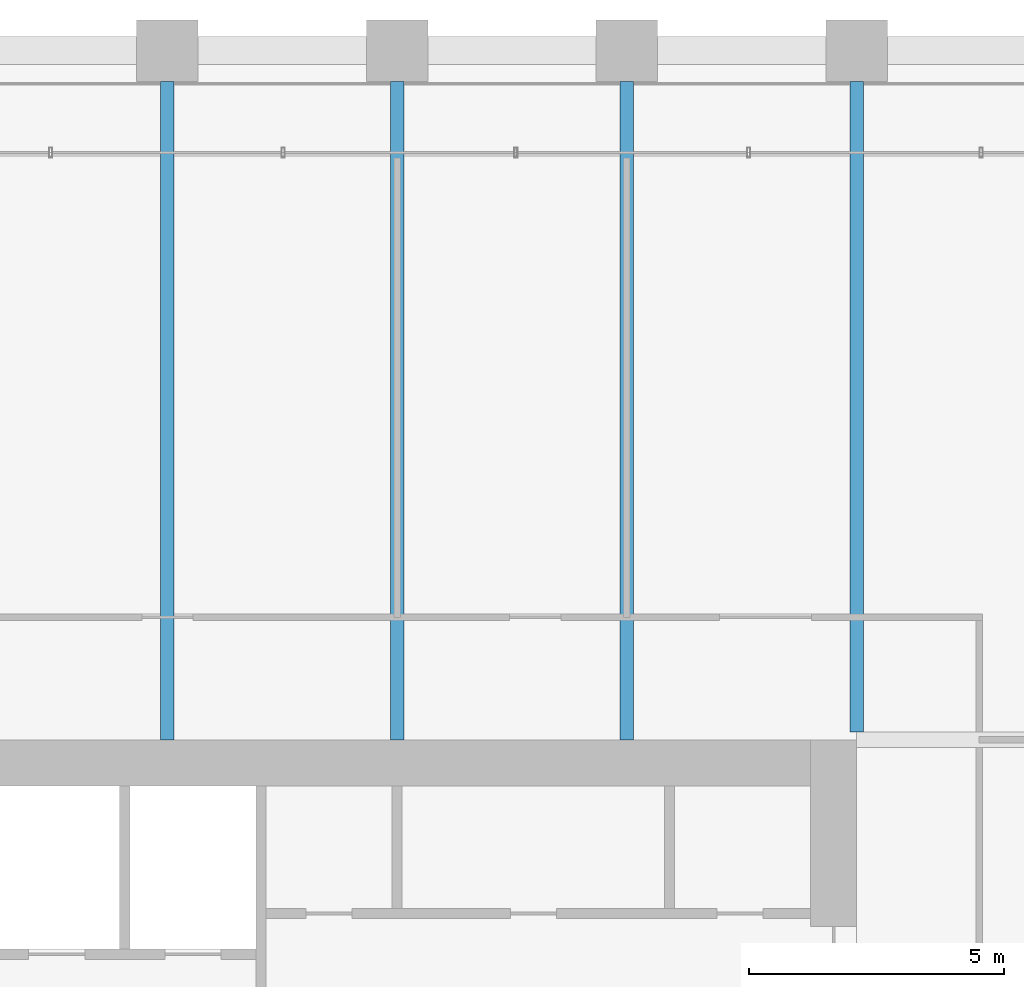
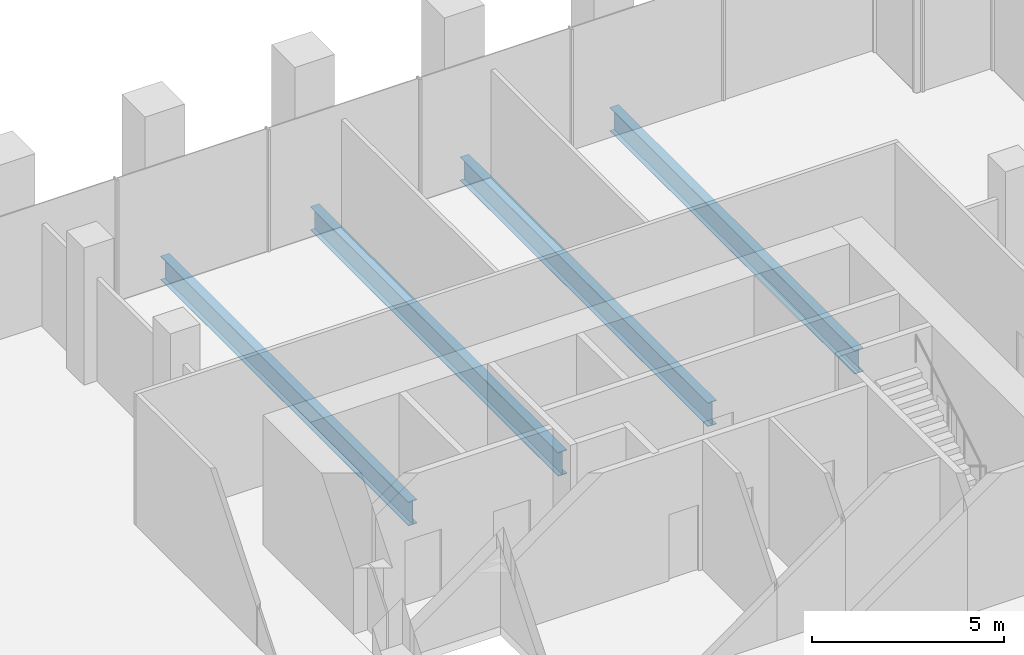
# One storey, part 15 of 36: 4 beams.
"""IFC4 building model written with IfcOpenShell, lengths in metres."""

from ifc_helpers import new_model, si_unit, direction, frame, origin, origin_2d, place, context, subcontext, project, spatial, i_section, extrude, material, material_profile, profile_set, type_object, element, save


model = new_model("IFC4")

# Units and contexts
model_context = context("Model", 3, precision=1e-05, world=origin(), true_north=direction((0.0, 1.0)))
body_context = subcontext(model_context, "Body", "Model", "MODEL_VIEW")
ifc_project = project(units=[si_unit("LENGTHUNIT", "METRE"), si_unit("AREAUNIT", "SQUARE_METRE"), si_unit("VOLUMEUNIT", "CUBIC_METRE"), si_unit("PLANEANGLEUNIT", "RADIAN"), si_unit("MASSUNIT", "GRAM", prefix="KILO")], contexts=[model_context])

# Site, building, storey
site_placement = place(None, origin())
site = spatial("IfcSite", under=ifc_project, at=site_placement, CompositionType="ELEMENT")
building_placement = place(site_placement, origin())
building = spatial("IfcBuilding", under=site, at=building_placement, Name="Altepetl Exchange Towers", CompositionType="ELEMENT")
storey_placement = place(building_placement, frame((0.0, 0.0, 38.60009765625)))
storey = spatial("IfcBuildingStorey", under=building, at=storey_placement, Name="L08", CompositionType="ELEMENT", Elevation=38.60009765625)

# Beams
ifc_material = material(Name="Steel S355", Category="steel")
ifc_material_profile = material_profile(ifc_material, i_section(OverallWidth=0.26611328125, OverallDepth=0.758056640625, WebThickness=0.013916015625, FlangeThickness=0.019287109375, at=origin_2d()), Name="W30X108")
ifc_profile_set = profile_set([ifc_material_profile], Name="Steel S355")
beam_type = type_object("IfcBeamType", Name="Floor beam W30X108", PredefinedType="BEAM", material=ifc_profile_set)
for number, where, z_axis, x_axis, name in (
    (1, (45.0, 58.5, -0.55419921875), (0.0, 1.0, 0.0), (-1.0, 0.0, 0.0), "bm:A:L08:000"),
    (2, (49.5, 58.5, -0.55419921875), (0.0, 1.0, 0.0), (-1.0, 0.0, 0.0), "bm:A:L08:001"),
    (3, (54.0, 58.5, -0.55419921875), (0.0, 1.0, 0.0), (-1.0, 0.0, 0.0), "bm:A:L08:002"),
):
    element("IfcBeam", number, at=place(storey_placement, frame(where, z_axis=z_axis, x_axis=x_axis)), inside=storey, type_object=beam_type, Name=name, PredefinedType="BEAM", context=body_context, shape_type="SweptSolid", body=[
        extrude(i_section(OverallWidth=0.26611328125, OverallDepth=0.758056640625, WebThickness=0.013916015625, FlangeThickness=0.019287109375, at=origin_2d()), origin(), (0.0, 0.0, 1.0), 12.89990234375),
    ])
beam_placement = place(storey_placement, frame((58.5, 58.654052734375, -0.55419921875), z_axis=(0.0, 1.0, 0.0), x_axis=(-1.0, 0.0, 0.0)))
element("IfcBeam", 4, at=beam_placement, inside=storey, type_object=beam_type, Name="bm:A:L08:003", PredefinedType="BEAM", context=body_context, shape_type="SweptSolid", body=[
    extrude(i_section(OverallWidth=0.26611328125, OverallDepth=0.758056640625, WebThickness=0.013916015625, FlangeThickness=0.019287109375, at=origin_2d()), origin(), (0.0, 0.0, 1.0), 12.745849609375),
])

save(model, "model.ifc")
